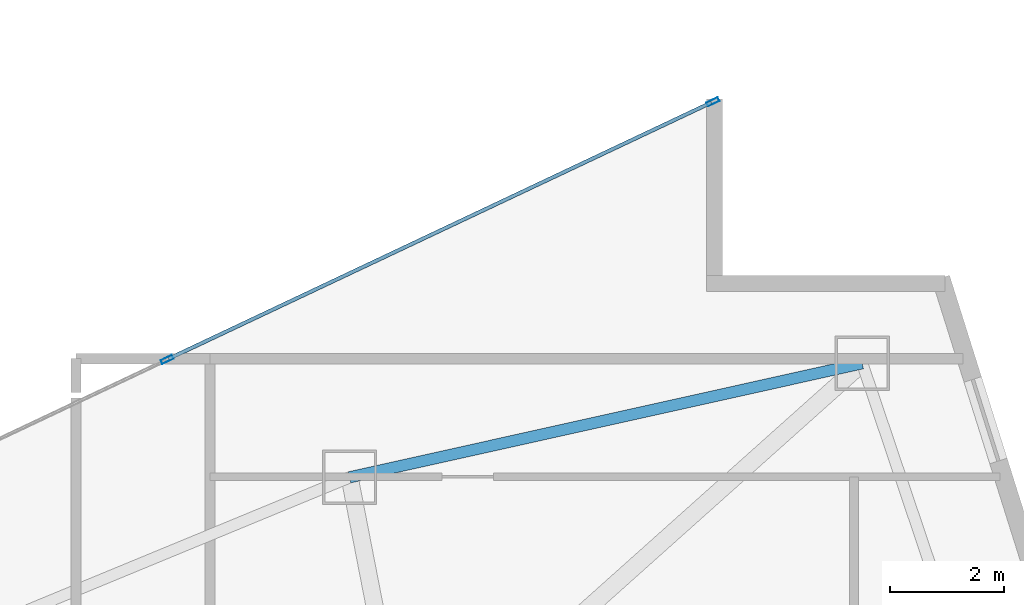
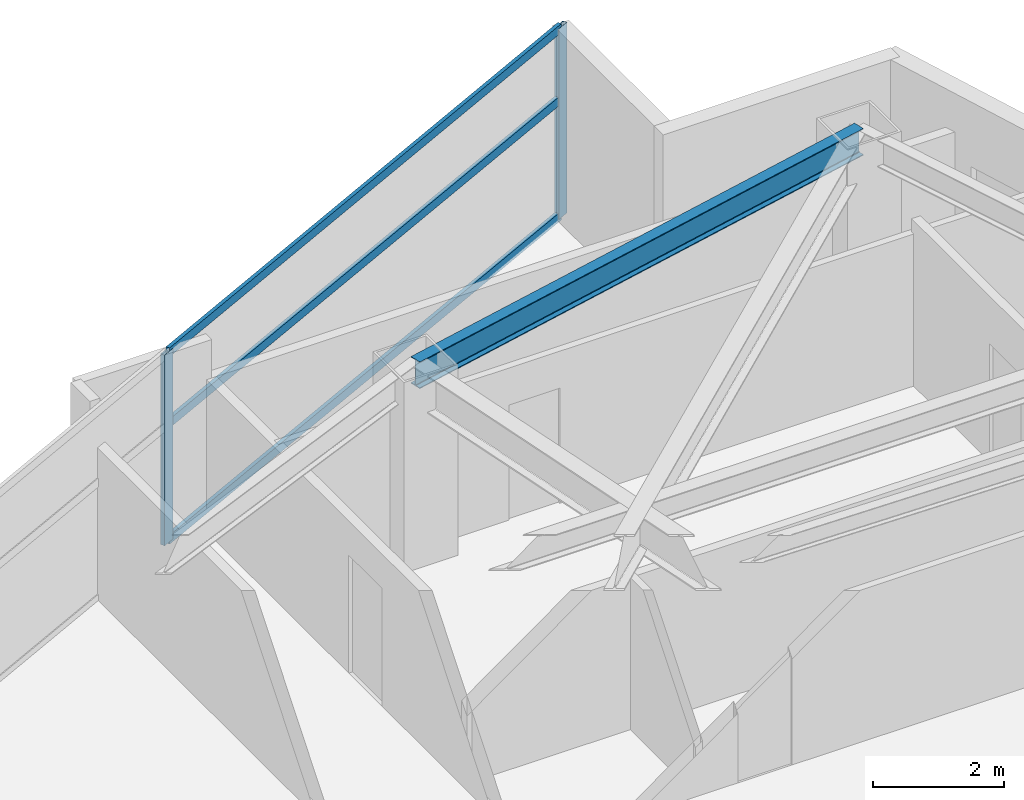
# One storey, part 20 of 29: 5 members, 1 beam, 1 element without a shape of its own.
"""IFC4 building model written with IfcOpenShell, lengths in metres."""

from ifc_helpers import new_model, si_unit, direction, frame, origin, origin_2d, place, context, subcontext, project, spatial, hollow_rectangle, i_section, extrude, material, layer, layer_set, material_profile, profile_set, type_object, element, aggregate, save


model = new_model("IFC4")

# Units and contexts
model_context = context("Model", 3, precision=1e-05, world=origin(), true_north=direction((0.0, 1.0)))
body_context = subcontext(model_context, "Body", "Model", "MODEL_VIEW")
ifc_project = project(units=[si_unit("LENGTHUNIT", "METRE"), si_unit("AREAUNIT", "SQUARE_METRE"), si_unit("VOLUMEUNIT", "CUBIC_METRE"), si_unit("PLANEANGLEUNIT", "RADIAN"), si_unit("MASSUNIT", "GRAM", prefix="KILO")], contexts=[model_context])

# Site, building, storey
site_placement = place(None, origin())
site = spatial("IfcSite", under=ifc_project, at=site_placement, CompositionType="ELEMENT")
building_placement = place(site_placement, origin())
building = spatial("IfcBuilding", under=site, at=building_placement, Name="Calvorn Quay Hotel", CompositionType="ELEMENT")
storey_placement = place(building_placement, frame((0.0, 0.0, 62.199951171875)))
storey = spatial("IfcBuildingStorey", under=building, at=storey_placement, Name="L14", CompositionType="ELEMENT", Elevation=62.199951171875)

# Beam
ifc_material_1 = material(Name="Steel Q355B", Category="steel")
ifc_material_profile_1 = material_profile(ifc_material_1, i_section(OverallWidth=0.199951171875, OverallDepth=0.5, WebThickness=0.010009765625, FlangeThickness=0.01611328125, FilletRadius=0.01611328125, at=origin_2d()), Name="HN500x200x10x16")
ifc_profile_set_1 = profile_set([ifc_material_profile_1], Name="Steel Q355B")
beam_type = type_object("IfcBeamType", Name="BM-SPANDREL-Z1", PredefinedType="SPANDREL", material=ifc_profile_set_1)
beam_placement = place(storey_placement, frame((52.990966796875, 33.39990234375, 3.2900390625), z_axis=(-0.976140886259, -0.217138136156, 0.0), x_axis=(0.217138136156, -0.976140886259, 0.0)))
element("IfcBeam", 1, at=beam_placement, inside=storey, type_object=beam_type, Name="Beam BSP-L14-E3", PredefinedType="SPANDREL", context=body_context, shape_type="SweptSolid", body=[
    extrude(i_section(OverallWidth=0.199951171875, OverallDepth=0.5, WebThickness=0.010009765625, FlangeThickness=0.01611328125, FilletRadius=0.01611328125, at=origin_2d()), origin(), (0.0, 0.0, 1.0), 9.210693359375),
])

# Curtain wall, members
ifc_material_2 = material(Name="Pale Anodised Aluminium and Low-E Glass", Category="aluminium")
ifc_layer = layer(ifc_material_2, 0.219970703125)
ifc_layer_set = layer_set([ifc_layer], Name="CW-SYS-Z1")
curtain_wall_type = type_object("IfcCurtainWallType", Name="CW-SYS-Z1", PredefinedType="NOTDEFINED", material=ifc_layer_set)
curtain_wall_placement = place(storey_placement, origin())
curtain_wall = element("IfcCurtainWall", 2, at=curtain_wall_placement, inside=storey, type_object=curtain_wall_type, Name="Inner Court Curtain Wall L14-NE1", PredefinedType="NOTDEFINED")
ifc_material_3 = material(Name="Pale Anodised Aluminium 6063-T6", Category="aluminium")
ifc_material_profile_2 = material_profile(ifc_material_3, hollow_rectangle(XDim=0.074951171875, YDim=0.219970703125, WallThickness=0.00439453125, at=origin_2d()), Name="ALU-M220x75x4.5")
ifc_profile_set_2 = profile_set([ifc_material_profile_2], Name="Pale Anodised Aluminium 6063-T6")
member_type_1 = type_object("IfcMemberType", Name="CW-SYS-Z1-MUL", PredefinedType="MULLION", material=ifc_profile_set_2)
member_1_placement = place(storey_placement, frame((50.372802734375, 37.9873046875, 0.0), z_axis=(0.0, 0.0, 1.0), x_axis=(0.427006305415, -0.904248646743, 0.0)))
member_1 = element("IfcMember", 3, at=member_1_placement, type_object=member_type_1, Name="CW-L14-NE1 mullion 1", PredefinedType="MULLION", context=body_context, shape_type="SweptSolid", body=[
    extrude(hollow_rectangle(XDim=0.074951171875, YDim=0.219970703125, WallThickness=0.00439453125, at=origin_2d()), origin(), (0.0, 0.0, 1.0), 3.56005859375),
])
member_2_placement = place(storey_placement, frame((40.800048828125, 33.466552734375, 0.0), z_axis=(0.0, 0.0, 1.0), x_axis=(0.427006305415, -0.904248646743, 0.0)))
member_2 = element("IfcMember", 4, at=member_2_placement, type_object=member_type_1, Name="CW-L14-NE1 mullion 2", PredefinedType="MULLION", context=body_context, shape_type="SweptSolid", body=[
    extrude(hollow_rectangle(XDim=0.074951171875, YDim=0.219970703125, WallThickness=0.00439453125, at=origin_2d()), origin(), (0.0, 0.0, 1.0), 3.56005859375),
])
ifc_material_4 = material(Name="Pale Anodised Aluminium 6063-T6", Category="aluminium")
ifc_material_profile_3 = material_profile(ifc_material_4, hollow_rectangle(XDim=0.06494140625, YDim=0.1650390625, WallThickness=0.00341796875, at=origin_2d()), Name="ALU-T165x65x3.5")
ifc_profile_set_3 = profile_set([ifc_material_profile_3], Name="Pale Anodised Aluminium 6063-T6")
member_type_2 = type_object("IfcMemberType", Name="CW-SYS-Z1-TRN", PredefinedType="USERDEFINED", material=ifc_profile_set_3)
member_3_placement = place(storey_placement, frame((50.345703125, 37.974365234375, 0.030029296875), z_axis=(-0.904248646746, -0.427006305408, 0.0), x_axis=(0.427006305408, -0.904248646746, 0.0)))
member_3 = element("IfcMember", 5, at=member_3_placement, type_object=member_type_2, Name="CW-L14-NE1 transom 1.1", ObjectType="TRANSOM", PredefinedType="USERDEFINED", context=body_context, shape_type="SweptSolid", body=[
    extrude(hollow_rectangle(XDim=0.06494140625, YDim=0.1650390625, WallThickness=0.00341796875, at=origin_2d()), origin(), (0.0, 0.0, 1.0), 10.5263671875),
])
member_4_placement = place(storey_placement, frame((50.345703125, 37.974365234375, 2.199951171875), z_axis=(-0.904248646746, -0.427006305408, 0.0), x_axis=(0.427006305408, -0.904248646746, 0.0)))
member_4 = element("IfcMember", 6, at=member_4_placement, type_object=member_type_2, Name="CW-L14-NE1 transom 1.2", ObjectType="TRANSOM", PredefinedType="USERDEFINED", context=body_context, shape_type="SweptSolid", body=[
    extrude(hollow_rectangle(XDim=0.06494140625, YDim=0.1650390625, WallThickness=0.00341796875, at=origin_2d()), origin(), (0.0, 0.0, 1.0), 10.5263671875),
])
member_5_placement = place(storey_placement, frame((50.345703125, 37.974365234375, 3.530029296875), z_axis=(-0.904248646746, -0.427006305408, 0.0), x_axis=(0.427006305408, -0.904248646746, 0.0)))
member_5 = element("IfcMember", 7, at=member_5_placement, type_object=member_type_2, Name="CW-L14-NE1 transom 1.3", ObjectType="TRANSOM", PredefinedType="USERDEFINED", context=body_context, shape_type="SweptSolid", body=[
    extrude(hollow_rectangle(XDim=0.06494140625, YDim=0.1650390625, WallThickness=0.00341796875, at=origin_2d()), origin(), (0.0, 0.0, 1.0), 10.5263671875),
])
aggregate(curtain_wall, [member_1, member_2, member_3, member_4, member_5])

save(model, "model.ifc")
